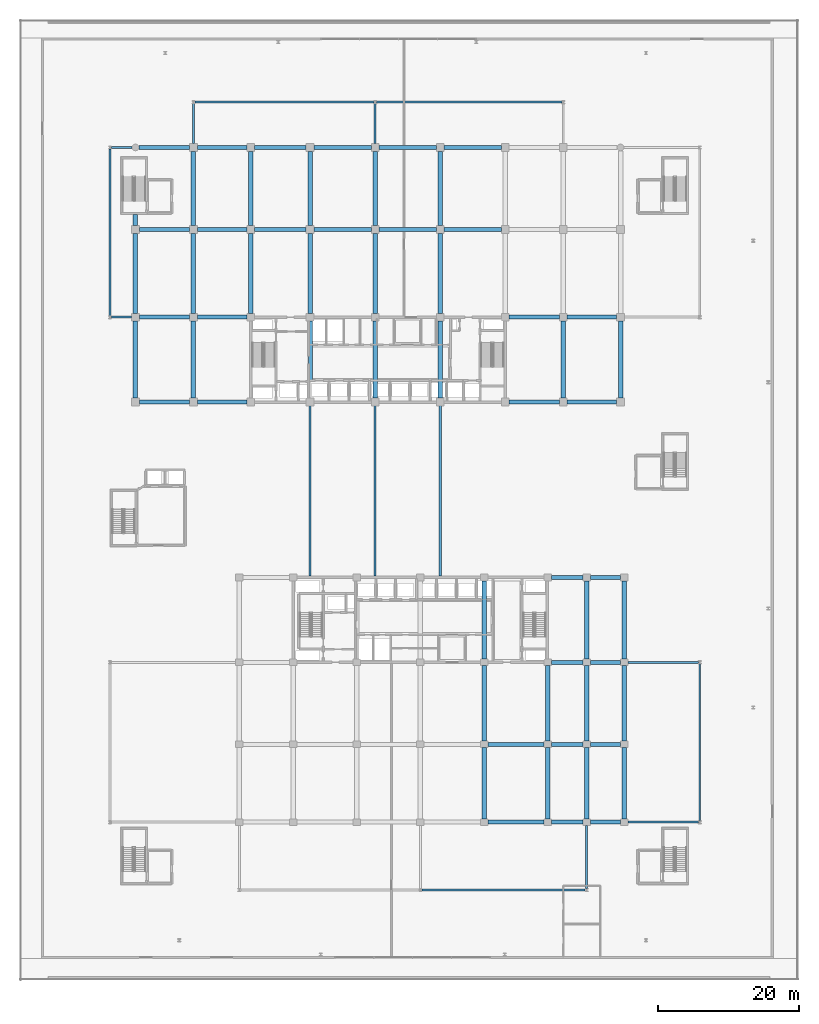
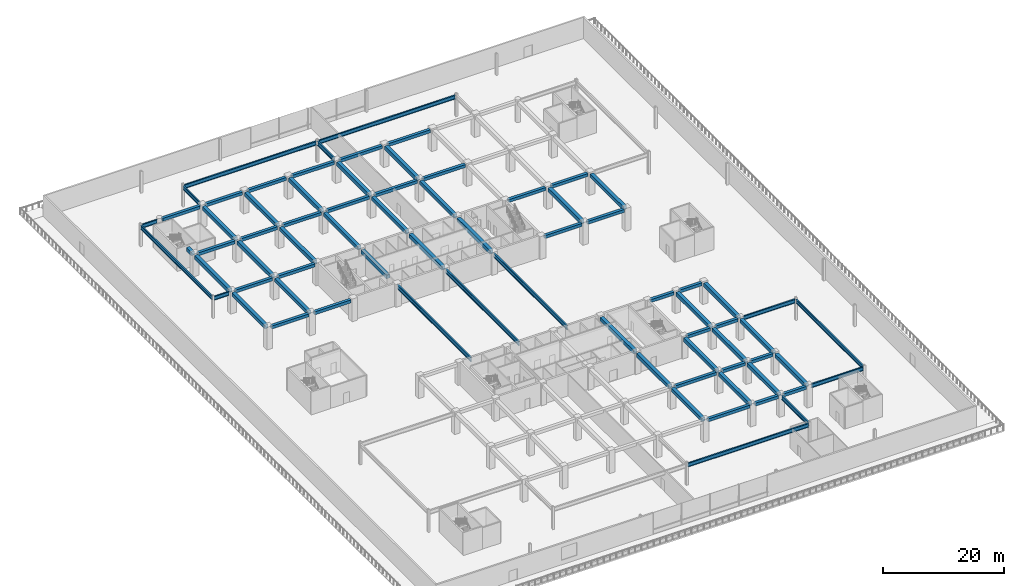
# One storey, part 13 of 45: 75 beams.
"""IFC4 building model written with IfcOpenShell, lengths in metres."""

from ifc_helpers import new_model, si_unit, direction, frame, origin, origin_2d, place, context, subcontext, project, spatial, rectangle, i_section, extrude, material, material_profile, profile_set, type_object, element, save


model = new_model("IFC4")

# Units and contexts
model_context = context("Model", 3, precision=1e-05, world=origin(), true_north=direction((0.0, 1.0)))
body_context = subcontext(model_context, "Body", "Model", "MODEL_VIEW")
ifc_project = project(units=[si_unit("LENGTHUNIT", "METRE"), si_unit("AREAUNIT", "SQUARE_METRE"), si_unit("VOLUMEUNIT", "CUBIC_METRE"), si_unit("PLANEANGLEUNIT", "RADIAN"), si_unit("MASSUNIT", "GRAM", prefix="KILO")], contexts=[model_context])

# Site, building, storey
site_placement = place(None, origin())
site = spatial("IfcSite", under=ifc_project, at=site_placement, CompositionType="ELEMENT")
building_placement = place(site_placement, origin())
building = spatial("IfcBuilding", under=site, at=building_placement, Name="Korimba Cascade Residences", CompositionType="ELEMENT")
storey_placement = place(building_placement, frame((0.0, 0.0, 5.39990234375)))
storey = spatial("IfcBuildingStorey", under=building, at=storey_placement, Name="L01", CompositionType="ELEMENT", Elevation=5.39990234375)

# Beams
ifc_material_1 = material(Name="Concrete C50/60", Category="concrete")
ifc_material_profile_1 = material_profile(ifc_material_1, rectangle(XDim=0.550048828125, YDim=0.60009765625, at=origin_2d()), Name="Concrete C50/60")
ifc_profile_set_1 = profile_set([ifc_material_profile_1], Name="Concrete C50/60")
beam_type_1 = type_object("IfcBeamType", Name="BM-RC-B600", PredefinedType="BEAM", material=ifc_profile_set_1)
beam_1_placement = place(storey_placement, frame((60.35009765625, 55.199951171875, 4.0), z_axis=(1.0, 0.0, 0.0), x_axis=(0.0, 1.0, 0.0)))
element("IfcBeam", 1, at=beam_1_placement, inside=storey, type_object=beam_type_1, Name="L01 T1 E-W Girder Y1 Bay 1", PredefinedType="BEAM", context=body_context, shape_type="SweptSolid", body=[
    extrude(rectangle(XDim=0.550048828125, YDim=0.60009765625, at=origin_2d()), origin(), (0.0, 0.0, 1.0), 7.099853515625),
])
beam_2_placement = place(storey_placement, frame((68.550048828125, 55.199951171875, 4.0), z_axis=(1.0, 0.0, 0.0), x_axis=(0.0, 1.0, 0.0)))
element("IfcBeam", 2, at=beam_2_placement, inside=storey, type_object=beam_type_1, Name="L01 T1 E-W Girder Y1 Bay 2", PredefinedType="BEAM", context=body_context, shape_type="SweptSolid", body=[
    extrude(rectangle(XDim=0.550048828125, YDim=0.60009765625, at=origin_2d()), origin(), (0.0, 0.0, 1.0), 7.0),
])
beam_3_placement = place(storey_placement, frame((112.64990234375, 55.199951171875, 4.0), z_axis=(1.0, 0.0, 0.0), x_axis=(0.0, 1.0, 0.0)))
element("IfcBeam", 3, at=beam_3_placement, inside=storey, type_object=beam_type_1, Name="L01 T1 E-W Girder Y1 Bay 7", PredefinedType="BEAM", context=body_context, shape_type="SweptSolid", body=[
    extrude(rectangle(XDim=0.550048828125, YDim=0.60009765625, at=origin_2d()), origin(), (0.0, 0.0, 1.0), 7.10009765625),
])
beam_4_placement = place(storey_placement, frame((120.85009765625, 55.199951171875, 4.0), z_axis=(1.0, 0.0, 0.0), x_axis=(0.0, 1.0, 0.0)))
element("IfcBeam", 4, at=beam_4_placement, inside=storey, type_object=beam_type_1, Name="L01 T1 E-W Girder Y1 Bay 8", PredefinedType="BEAM", context=body_context, shape_type="SweptSolid", body=[
    extrude(rectangle(XDim=0.550048828125, YDim=0.60009765625, at=origin_2d()), origin(), (0.0, 0.0, 1.0), 7.0),
])
beam_5_placement = place(storey_placement, frame((60.35009765625, 67.199951171875, 4.0), z_axis=(1.0, 0.0, 0.0), x_axis=(0.0, 1.0, 0.0)))
element("IfcBeam", 5, at=beam_5_placement, inside=storey, type_object=beam_type_1, Name="L01 T1 E-W Girder Y2 Bay 1", PredefinedType="BEAM", context=body_context, shape_type="SweptSolid", body=[
    extrude(rectangle(XDim=0.550048828125, YDim=0.60009765625, at=origin_2d()), origin(), (0.0, 0.0, 1.0), 7.099853515625),
])
beam_6_placement = place(storey_placement, frame((68.550048828125, 67.199951171875, 4.0), z_axis=(1.0, 0.0, 0.0), x_axis=(0.0, 1.0, 0.0)))
element("IfcBeam", 6, at=beam_6_placement, inside=storey, type_object=beam_type_1, Name="L01 T1 E-W Girder Y2 Bay 2", PredefinedType="BEAM", context=body_context, shape_type="SweptSolid", body=[
    extrude(rectangle(XDim=0.550048828125, YDim=0.60009765625, at=origin_2d()), origin(), (0.0, 0.0, 1.0), 7.0),
])
beam_7_placement = place(storey_placement, frame((112.64990234375, 67.199951171875, 4.0), z_axis=(1.0, 0.0, 0.0), x_axis=(0.0, 1.0, 0.0)))
element("IfcBeam", 7, at=beam_7_placement, inside=storey, type_object=beam_type_1, Name="L01 T1 E-W Girder Y2 Bay 7", PredefinedType="BEAM", context=body_context, shape_type="SweptSolid", body=[
    extrude(rectangle(XDim=0.550048828125, YDim=0.60009765625, at=origin_2d()), origin(), (0.0, 0.0, 1.0), 7.10009765625),
])
beam_8_placement = place(storey_placement, frame((120.85009765625, 67.199951171875, 4.0), z_axis=(1.0, 0.0, 0.0), x_axis=(0.0, 1.0, 0.0)))
element("IfcBeam", 8, at=beam_8_placement, inside=storey, type_object=beam_type_1, Name="L01 T1 E-W Girder Y2 Bay 8", PredefinedType="BEAM", context=body_context, shape_type="SweptSolid", body=[
    extrude(rectangle(XDim=0.550048828125, YDim=0.60009765625, at=origin_2d()), origin(), (0.0, 0.0, 1.0), 7.0),
])
beam_9_placement = place(storey_placement, frame((60.35009765625, 79.60009765625, 4.0), z_axis=(1.0, 0.0, 0.0), x_axis=(0.0, 1.0, 0.0)))
element("IfcBeam", 9, at=beam_9_placement, inside=storey, type_object=beam_type_1, Name="L01 T1 E-W Girder Y3 Bay 1", PredefinedType="BEAM", context=body_context, shape_type="SweptSolid", body=[
    extrude(rectangle(XDim=0.550048828125, YDim=0.60009765625, at=origin_2d()), origin(), (0.0, 0.0, 1.0), 7.099853515625),
])
beam_10_placement = place(storey_placement, frame((68.550048828125, 79.60009765625, 4.0), z_axis=(1.0, 0.0, 0.0), x_axis=(0.0, 1.0, 0.0)))
element("IfcBeam", 10, at=beam_10_placement, inside=storey, type_object=beam_type_1, Name="L01 T1 E-W Girder Y3 Bay 2", PredefinedType="BEAM", context=body_context, shape_type="SweptSolid", body=[
    extrude(rectangle(XDim=0.550048828125, YDim=0.60009765625, at=origin_2d()), origin(), (0.0, 0.0, 1.0), 7.0),
])
beam_11_placement = place(storey_placement, frame((76.64990234375, 79.60009765625, 4.0), z_axis=(1.0, 0.0, 0.0), x_axis=(0.0, 1.0, 0.0)))
element("IfcBeam", 11, at=beam_11_placement, inside=storey, type_object=beam_type_1, Name="L01 T1 E-W Girder Y3 Bay 3", PredefinedType="BEAM", context=body_context, shape_type="SweptSolid", body=[
    extrude(rectangle(XDim=0.550048828125, YDim=0.60009765625, at=origin_2d()), origin(), (0.0, 0.0, 1.0), 7.300048828125),
])
beam_12_placement = place(storey_placement, frame((85.050048828125, 79.60009765625, 4.0), z_axis=(1.0, 0.0, 0.0), x_axis=(0.0, 1.0, 0.0)))
element("IfcBeam", 12, at=beam_12_placement, inside=storey, type_object=beam_type_1, Name="L01 T1 E-W Girder Y3 Bay 4", PredefinedType="BEAM", context=body_context, shape_type="SweptSolid", body=[
    extrude(rectangle(XDim=0.550048828125, YDim=0.60009765625, at=origin_2d()), origin(), (0.0, 0.0, 1.0), 8.099853515625),
])
for number, where, z_axis, x_axis, name in (
    (13, (94.25, 79.60009765625, 4.0), (1.0, 0.0, 0.0), (0.0, 1.0, 0.0), "L01 T1 E-W Girder Y3 Bay 5"),
    (14, (103.449951171875, 79.60009765625, 4.0), (1.0, 0.0, 0.0), (0.0, 1.0, 0.0), "L01 T1 E-W Girder Y3 Bay 6"),
):
    element("IfcBeam", number, at=place(storey_placement, frame(where, z_axis=z_axis, x_axis=x_axis)), inside=storey, type_object=beam_type_1, Name=name, PredefinedType="BEAM", context=body_context, shape_type="SweptSolid", body=[
        extrude(rectangle(XDim=0.550048828125, YDim=0.60009765625, at=origin_2d()), origin(), (0.0, 0.0, 1.0), 8.10009765625),
    ])
beam_13_placement = place(storey_placement, frame((60.27490234375, 91.199951171875, 4.0), z_axis=(1.0, 0.0, 0.0), x_axis=(0.0, 1.0, 0.0)))
element("IfcBeam", 15, at=beam_13_placement, inside=storey, type_object=beam_type_1, Name="L01 T1 E-W Girder Y4 Bay 1", PredefinedType="BEAM", context=body_context, shape_type="SweptSolid", body=[
    extrude(rectangle(XDim=0.550048828125, YDim=0.60009765625, at=origin_2d()), origin(), (0.0, 0.0, 1.0), 7.175048828125),
])
beam_14_placement = place(storey_placement, frame((68.550048828125, 91.199951171875, 4.0), z_axis=(1.0, 0.0, 0.0), x_axis=(0.0, 1.0, 0.0)))
element("IfcBeam", 16, at=beam_14_placement, inside=storey, type_object=beam_type_1, Name="L01 T1 E-W Girder Y4 Bay 2", PredefinedType="BEAM", context=body_context, shape_type="SweptSolid", body=[
    extrude(rectangle(XDim=0.550048828125, YDim=0.60009765625, at=origin_2d()), origin(), (0.0, 0.0, 1.0), 7.0),
])
beam_15_placement = place(storey_placement, frame((76.64990234375, 91.199951171875, 4.0), z_axis=(1.0, 0.0, 0.0), x_axis=(0.0, 1.0, 0.0)))
element("IfcBeam", 17, at=beam_15_placement, inside=storey, type_object=beam_type_1, Name="L01 T1 E-W Girder Y4 Bay 3", PredefinedType="BEAM", context=body_context, shape_type="SweptSolid", body=[
    extrude(rectangle(XDim=0.550048828125, YDim=0.60009765625, at=origin_2d()), origin(), (0.0, 0.0, 1.0), 7.300048828125),
])
beam_16_placement = place(storey_placement, frame((85.050048828125, 91.199951171875, 4.0), z_axis=(1.0, 0.0, 0.0), x_axis=(0.0, 1.0, 0.0)))
element("IfcBeam", 18, at=beam_16_placement, inside=storey, type_object=beam_type_1, Name="L01 T1 E-W Girder Y4 Bay 4", PredefinedType="BEAM", context=body_context, shape_type="SweptSolid", body=[
    extrude(rectangle(XDim=0.550048828125, YDim=0.60009765625, at=origin_2d()), origin(), (0.0, 0.0, 1.0), 8.099853515625),
])
for number, where, z_axis, x_axis, name in (
    (19, (94.25, 91.199951171875, 4.0), (1.0, 0.0, 0.0), (0.0, 1.0, 0.0), "L01 T1 E-W Girder Y4 Bay 5"),
    (20, (103.449951171875, 91.199951171875, 4.0), (1.0, 0.0, 0.0), (0.0, 1.0, 0.0), "L01 T1 E-W Girder Y4 Bay 6"),
):
    element("IfcBeam", number, at=place(storey_placement, frame(where, z_axis=z_axis, x_axis=x_axis)), inside=storey, type_object=beam_type_1, Name=name, PredefinedType="BEAM", context=body_context, shape_type="SweptSolid", body=[
        extrude(rectangle(XDim=0.550048828125, YDim=0.60009765625, at=origin_2d()), origin(), (0.0, 0.0, 1.0), 8.10009765625),
    ])
beam_17_placement = place(storey_placement, frame((109.625, -4.199951171875, 4.0), z_axis=(1.0, 0.0, 0.0), x_axis=(0.0, 1.0, 0.0)))
element("IfcBeam", 21, at=beam_17_placement, inside=storey, type_object=beam_type_1, Name="L01 T2 E-W Girder Y1 Bay 5", PredefinedType="BEAM", context=body_context, shape_type="SweptSolid", body=[
    extrude(rectangle(XDim=0.550048828125, YDim=0.60009765625, at=origin_2d()), origin(), (0.0, 0.0, 1.0), 7.949951171875),
])
beam_18_placement = place(storey_placement, frame((118.625, -4.199951171875, 4.0), z_axis=(1.0, 0.0, 0.0), x_axis=(0.0, 1.0, 0.0)))
element("IfcBeam", 22, at=beam_18_placement, inside=storey, type_object=beam_type_1, Name="L01 T2 E-W Girder Y1 Bay 6", PredefinedType="BEAM", context=body_context, shape_type="SweptSolid", body=[
    extrude(rectangle(XDim=0.550048828125, YDim=0.60009765625, at=origin_2d()), origin(), (0.0, 0.0, 1.0), 4.449951171875),
])
beam_19_placement = place(storey_placement, frame((124.125, -4.199951171875, 4.0), z_axis=(1.0, 0.0, 0.0), x_axis=(0.0, 1.0, 0.0)))
element("IfcBeam", 23, at=beam_19_placement, inside=storey, type_object=beam_type_1, Name="L01 T2 E-W Girder Y1 Bay 7", PredefinedType="BEAM", context=body_context, shape_type="SweptSolid", body=[
    extrude(rectangle(XDim=0.550048828125, YDim=0.60009765625, at=origin_2d()), origin(), (0.0, 0.0, 1.0), 4.25),
])
beam_20_placement = place(storey_placement, frame((109.625, 6.800048828125, 4.0), z_axis=(1.0, 0.0, 0.0), x_axis=(0.0, 1.0, 0.0)))
element("IfcBeam", 24, at=beam_20_placement, inside=storey, type_object=beam_type_1, Name="L01 T2 E-W Girder Y2 Bay 5", PredefinedType="BEAM", context=body_context, shape_type="SweptSolid", body=[
    extrude(rectangle(XDim=0.550048828125, YDim=0.60009765625, at=origin_2d()), origin(), (0.0, 0.0, 1.0), 7.949951171875),
])
beam_21_placement = place(storey_placement, frame((118.625, 6.800048828125, 4.0), z_axis=(1.0, 0.0, 0.0), x_axis=(0.0, 1.0, 0.0)))
element("IfcBeam", 25, at=beam_21_placement, inside=storey, type_object=beam_type_1, Name="L01 T2 E-W Girder Y2 Bay 6", PredefinedType="BEAM", context=body_context, shape_type="SweptSolid", body=[
    extrude(rectangle(XDim=0.550048828125, YDim=0.60009765625, at=origin_2d()), origin(), (0.0, 0.0, 1.0), 4.449951171875),
])
beam_22_placement = place(storey_placement, frame((124.125, 6.800048828125, 4.0), z_axis=(1.0, 0.0, 0.0), x_axis=(0.0, 1.0, 0.0)))
element("IfcBeam", 26, at=beam_22_placement, inside=storey, type_object=beam_type_1, Name="L01 T2 E-W Girder Y2 Bay 7", PredefinedType="BEAM", context=body_context, shape_type="SweptSolid", body=[
    extrude(rectangle(XDim=0.550048828125, YDim=0.60009765625, at=origin_2d()), origin(), (0.0, 0.0, 1.0), 4.25),
])
beam_23_placement = place(storey_placement, frame((118.625, 18.39990234375, 4.0), z_axis=(1.0, 0.0, 0.0), x_axis=(0.0, 1.0, 0.0)))
element("IfcBeam", 27, at=beam_23_placement, inside=storey, type_object=beam_type_1, Name="L01 T2 E-W Girder Y3 Bay 6", PredefinedType="BEAM", context=body_context, shape_type="SweptSolid", body=[
    extrude(rectangle(XDim=0.550048828125, YDim=0.60009765625, at=origin_2d()), origin(), (0.0, 0.0, 1.0), 4.449951171875),
])
beam_24_placement = place(storey_placement, frame((124.125, 18.39990234375, 4.0), z_axis=(1.0, 0.0, 0.0), x_axis=(0.0, 1.0, 0.0)))
element("IfcBeam", 28, at=beam_24_placement, inside=storey, type_object=beam_type_1, Name="L01 T2 E-W Girder Y3 Bay 7", PredefinedType="BEAM", context=body_context, shape_type="SweptSolid", body=[
    extrude(rectangle(XDim=0.550048828125, YDim=0.60009765625, at=origin_2d()), origin(), (0.0, 0.0, 1.0), 4.25),
])
beam_25_placement = place(storey_placement, frame((118.625, 30.39990234375, 4.0), z_axis=(1.0, 0.0, 0.0), x_axis=(0.0, 1.0, 0.0)))
element("IfcBeam", 29, at=beam_25_placement, inside=storey, type_object=beam_type_1, Name="L01 T2 E-W Girder Y4 Bay 6", PredefinedType="BEAM", context=body_context, shape_type="SweptSolid", body=[
    extrude(rectangle(XDim=0.550048828125, YDim=0.60009765625, at=origin_2d()), origin(), (0.0, 0.0, 1.0), 4.449951171875),
])
beam_26_placement = place(storey_placement, frame((124.125, 30.39990234375, 4.0), z_axis=(1.0, 0.0, 0.0), x_axis=(0.0, 1.0, 0.0)))
element("IfcBeam", 30, at=beam_26_placement, inside=storey, type_object=beam_type_1, Name="L01 T2 E-W Girder Y4 Bay 7", PredefinedType="BEAM", context=body_context, shape_type="SweptSolid", body=[
    extrude(rectangle(XDim=0.550048828125, YDim=0.60009765625, at=origin_2d()), origin(), (0.0, 0.0, 1.0), 4.25),
])
ifc_material_profile_2 = material_profile(ifc_material_1, rectangle(XDim=0.64990234375, YDim=0.75, at=origin_2d()), Name="Concrete C50/60")
ifc_profile_set_2 = profile_set([ifc_material_profile_2], Name="Concrete C50/60")
beam_type_2 = type_object("IfcBeamType", Name="BM-RC-G750", PredefinedType="BEAM", material=ifc_profile_set_2)
beam_27_placement = place(storey_placement, frame((59.800048828125, 55.75, 3.925048828125), z_axis=(0.0, 1.0, 0.0), x_axis=(-1.0, 0.0, 0.0)))
element("IfcBeam", 31, at=beam_27_placement, inside=storey, type_object=beam_type_2, Name="L01 T1 N-S Girder X1 Seg 1", PredefinedType="BEAM", context=body_context, shape_type="SweptSolid", body=[
    extrude(rectangle(XDim=0.64990234375, YDim=0.75, at=origin_2d()), origin(), (0.0, 0.0, 1.0), 10.89990234375),
])
beam_28_placement = place(storey_placement, frame((59.800048828125, 67.75, 3.925048828125), z_axis=(0.0, 1.0, 0.0), x_axis=(-1.0, 0.0, 0.0)))
element("IfcBeam", 32, at=beam_28_placement, inside=storey, type_object=beam_type_2, Name="L01 T1 N-S Girder X1 Seg 2", PredefinedType="BEAM", context=body_context, shape_type="SweptSolid", body=[
    extrude(rectangle(XDim=0.64990234375, YDim=0.75, at=origin_2d()), origin(), (0.0, 0.0, 1.0), 11.300048828125),
])
beam_29_placement = place(storey_placement, frame((59.800048828125, 80.14990234375, 3.925048828125), z_axis=(0.0, 1.0, 0.0), x_axis=(-1.0, 0.0, 0.0)))
element("IfcBeam", 33, at=beam_29_placement, inside=storey, type_object=beam_type_2, Name="L01 T1 N-S Girder X1 Seg 3", PredefinedType="BEAM", context=body_context, shape_type="SweptSolid", body=[
    extrude(rectangle(XDim=0.64990234375, YDim=0.75, at=origin_2d()), origin(), (0.0, 0.0, 1.0), 1.550048828125),
])
beam_30_placement = place(storey_placement, frame((68.0, 55.75, 3.925048828125), z_axis=(0.0, 1.0, 0.0), x_axis=(-1.0, 0.0, 0.0)))
element("IfcBeam", 34, at=beam_30_placement, inside=storey, type_object=beam_type_2, Name="L01 T1 N-S Girder X2 Seg 1", PredefinedType="BEAM", context=body_context, shape_type="SweptSolid", body=[
    extrude(rectangle(XDim=0.64990234375, YDim=0.75, at=origin_2d()), origin(), (0.0, 0.0, 1.0), 10.89990234375),
])
beam_31_placement = place(storey_placement, frame((68.0, 67.75, 3.925048828125), z_axis=(0.0, 1.0, 0.0), x_axis=(-1.0, 0.0, 0.0)))
element("IfcBeam", 35, at=beam_31_placement, inside=storey, type_object=beam_type_2, Name="L01 T1 N-S Girder X2 Seg 2", PredefinedType="BEAM", context=body_context, shape_type="SweptSolid", body=[
    extrude(rectangle(XDim=0.64990234375, YDim=0.75, at=origin_2d()), origin(), (0.0, 0.0, 1.0), 11.300048828125),
])
beam_32_placement = place(storey_placement, frame((68.0, 80.14990234375, 3.925048828125), z_axis=(0.0, 1.0, 0.0), x_axis=(-1.0, 0.0, 0.0)))
element("IfcBeam", 36, at=beam_32_placement, inside=storey, type_object=beam_type_2, Name="L01 T1 N-S Girder X2 Seg 3", PredefinedType="BEAM", context=body_context, shape_type="SweptSolid", body=[
    extrude(rectangle(XDim=0.64990234375, YDim=0.75, at=origin_2d()), origin(), (0.0, 0.0, 1.0), 10.5),
])
beam_33_placement = place(storey_placement, frame((76.10009765625, 67.75, 3.925048828125), z_axis=(0.0, 1.0, 0.0), x_axis=(-1.0, 0.0, 0.0)))
element("IfcBeam", 37, at=beam_33_placement, inside=storey, type_object=beam_type_2, Name="L01 T1 N-S Girder X3 Seg 2", PredefinedType="BEAM", context=body_context, shape_type="SweptSolid", body=[
    extrude(rectangle(XDim=0.64990234375, YDim=0.75, at=origin_2d()), origin(), (0.0, 0.0, 1.0), 11.300048828125),
])
beam_34_placement = place(storey_placement, frame((76.10009765625, 80.14990234375, 3.925048828125), z_axis=(0.0, 1.0, 0.0), x_axis=(-1.0, 0.0, 0.0)))
element("IfcBeam", 38, at=beam_34_placement, inside=storey, type_object=beam_type_2, Name="L01 T1 N-S Girder X3 Seg 3", PredefinedType="BEAM", context=body_context, shape_type="SweptSolid", body=[
    extrude(rectangle(XDim=0.64990234375, YDim=0.75, at=origin_2d()), origin(), (0.0, 0.0, 1.0), 10.5),
])
beam_35_placement = place(storey_placement, frame((84.5, 58.159912109375, 3.925048828125), z_axis=(0.0, 1.0, 0.0), x_axis=(-1.0, 0.0, 0.0)))
element("IfcBeam", 39, at=beam_35_placement, inside=storey, type_object=beam_type_2, Name="L01 T1 N-S Girder X4 Seg 1", PredefinedType="BEAM", context=body_context, shape_type="SweptSolid", body=[
    extrude(rectangle(XDim=0.64990234375, YDim=0.75, at=origin_2d()), origin(), (0.0, 0.0, 1.0), 8.489990234375),
])
beam_36_placement = place(storey_placement, frame((84.5, 67.75, 3.925048828125), z_axis=(0.0, 1.0, 0.0), x_axis=(-1.0, 0.0, 0.0)))
element("IfcBeam", 40, at=beam_36_placement, inside=storey, type_object=beam_type_2, Name="L01 T1 N-S Girder X4 Seg 2", PredefinedType="BEAM", context=body_context, shape_type="SweptSolid", body=[
    extrude(rectangle(XDim=0.64990234375, YDim=0.75, at=origin_2d()), origin(), (0.0, 0.0, 1.0), 11.300048828125),
])
beam_37_placement = place(storey_placement, frame((84.5, 80.14990234375, 3.925048828125), z_axis=(0.0, 1.0, 0.0), x_axis=(-1.0, 0.0, 0.0)))
element("IfcBeam", 41, at=beam_37_placement, inside=storey, type_object=beam_type_2, Name="L01 T1 N-S Girder X4 Seg 3", PredefinedType="BEAM", context=body_context, shape_type="SweptSolid", body=[
    extrude(rectangle(XDim=0.64990234375, YDim=0.75, at=origin_2d()), origin(), (0.0, 0.0, 1.0), 10.5),
])
beam_38_placement = place(storey_placement, frame((93.699951171875, 55.75, 3.925048828125), z_axis=(0.0, 1.0, 0.0), x_axis=(-1.0, 0.0, 0.0)))
element("IfcBeam", 42, at=beam_38_placement, inside=storey, type_object=beam_type_2, Name="L01 T1 N-S Girder X5 Seg 1", PredefinedType="BEAM", context=body_context, shape_type="SweptSolid", body=[
    extrude(rectangle(XDim=0.64990234375, YDim=0.75, at=origin_2d()), origin(), (0.0, 0.0, 1.0), 10.89990234375),
])
beam_39_placement = place(storey_placement, frame((93.699951171875, 67.75, 3.925048828125), z_axis=(0.0, 1.0, 0.0), x_axis=(-1.0, 0.0, 0.0)))
element("IfcBeam", 43, at=beam_39_placement, inside=storey, type_object=beam_type_2, Name="L01 T1 N-S Girder X5 Seg 2", PredefinedType="BEAM", context=body_context, shape_type="SweptSolid", body=[
    extrude(rectangle(XDim=0.64990234375, YDim=0.75, at=origin_2d()), origin(), (0.0, 0.0, 1.0), 11.300048828125),
])
beam_40_placement = place(storey_placement, frame((93.699951171875, 80.14990234375, 3.925048828125), z_axis=(0.0, 1.0, 0.0), x_axis=(-1.0, 0.0, 0.0)))
element("IfcBeam", 44, at=beam_40_placement, inside=storey, type_object=beam_type_2, Name="L01 T1 N-S Girder X5 Seg 3", PredefinedType="BEAM", context=body_context, shape_type="SweptSolid", body=[
    extrude(rectangle(XDim=0.64990234375, YDim=0.75, at=origin_2d()), origin(), (0.0, 0.0, 1.0), 10.5),
])
beam_41_placement = place(storey_placement, frame((102.89990234375, 55.75, 3.925048828125), z_axis=(0.0, 1.0, 0.0), x_axis=(-1.0, 0.0, 0.0)))
element("IfcBeam", 45, at=beam_41_placement, inside=storey, type_object=beam_type_2, Name="L01 T1 N-S Girder X6 Seg 1", PredefinedType="BEAM", context=body_context, shape_type="SweptSolid", body=[
    extrude(rectangle(XDim=0.64990234375, YDim=0.75, at=origin_2d()), origin(), (0.0, 0.0, 1.0), 10.89990234375),
])
beam_42_placement = place(storey_placement, frame((102.89990234375, 67.75, 3.925048828125), z_axis=(0.0, 1.0, 0.0), x_axis=(-1.0, 0.0, 0.0)))
element("IfcBeam", 46, at=beam_42_placement, inside=storey, type_object=beam_type_2, Name="L01 T1 N-S Girder X6 Seg 2", PredefinedType="BEAM", context=body_context, shape_type="SweptSolid", body=[
    extrude(rectangle(XDim=0.64990234375, YDim=0.75, at=origin_2d()), origin(), (0.0, 0.0, 1.0), 11.300048828125),
])
beam_43_placement = place(storey_placement, frame((102.89990234375, 80.14990234375, 3.925048828125), z_axis=(0.0, 1.0, 0.0), x_axis=(-1.0, 0.0, 0.0)))
element("IfcBeam", 47, at=beam_43_placement, inside=storey, type_object=beam_type_2, Name="L01 T1 N-S Girder X6 Seg 3", PredefinedType="BEAM", context=body_context, shape_type="SweptSolid", body=[
    extrude(rectangle(XDim=0.64990234375, YDim=0.75, at=origin_2d()), origin(), (0.0, 0.0, 1.0), 10.5),
])
for number, where, z_axis, x_axis, name in (
    (48, (120.300048828125, 55.75, 3.925048828125), (0.0, 1.0, 0.0), (-1.0, 0.0, 0.0), "L01 T1 N-S Girder X8 Seg 1"),
    (49, (128.39990234375, 55.75, 3.925048828125), (0.0, 1.0, 0.0), (-1.0, 0.0, 0.0), "L01 T1 N-S Girder X9 Seg 1"),
):
    element("IfcBeam", number, at=place(storey_placement, frame(where, z_axis=z_axis, x_axis=x_axis)), inside=storey, type_object=beam_type_2, Name=name, PredefinedType="BEAM", context=body_context, shape_type="SweptSolid", body=[
        extrude(rectangle(XDim=0.64990234375, YDim=0.75, at=origin_2d()), origin(), (0.0, 0.0, 1.0), 10.89990234375),
    ])
beam_44_placement = place(storey_placement, frame((109.10009765625, -3.72509765625, 3.925048828125), z_axis=(0.0, 1.0, 0.0), x_axis=(-1.0, 0.0, 0.0)))
element("IfcBeam", 50, at=beam_44_placement, inside=storey, type_object=beam_type_2, Name="L01 T2 N-S Girder X5 Seg 1", PredefinedType="BEAM", context=body_context, shape_type="SweptSolid", body=[
    extrude(rectangle(XDim=0.64990234375, YDim=0.75, at=origin_2d()), origin(), (0.0, 0.0, 1.0), 10.050048828125),
])
beam_45_placement = place(storey_placement, frame((109.10009765625, 7.27490234375, 3.925048828125), z_axis=(0.0, 1.0, 0.0), x_axis=(-1.0, 0.0, 0.0)))
element("IfcBeam", 51, at=beam_45_placement, inside=storey, type_object=beam_type_2, Name="L01 T2 N-S Girder X5 Seg 2", PredefinedType="BEAM", context=body_context, shape_type="SweptSolid", body=[
    extrude(rectangle(XDim=0.64990234375, YDim=0.75, at=origin_2d()), origin(), (0.0, 0.0, 1.0), 10.650146484375),
])
beam_46_placement = place(storey_placement, frame((109.10009765625, 18.875, 3.925048828125), z_axis=(0.0, 1.0, 0.0), x_axis=(-1.0, 0.0, 0.0)))
element("IfcBeam", 52, at=beam_46_placement, inside=storey, type_object=beam_type_2, Name="L01 T2 N-S Girder X5 Seg 3", PredefinedType="BEAM", context=body_context, shape_type="SweptSolid", body=[
    extrude(rectangle(XDim=0.64990234375, YDim=0.75, at=origin_2d()), origin(), (0.0, 0.0, 1.0), 11.050048828125),
])
beam_47_placement = place(storey_placement, frame((118.10009765625, -3.72509765625, 3.925048828125), z_axis=(0.0, 1.0, 0.0), x_axis=(-1.0, 0.0, 0.0)))
element("IfcBeam", 53, at=beam_47_placement, inside=storey, type_object=beam_type_2, Name="L01 T2 N-S Girder X6 Seg 1", PredefinedType="BEAM", context=body_context, shape_type="SweptSolid", body=[
    extrude(rectangle(XDim=0.64990234375, YDim=0.75, at=origin_2d()), origin(), (0.0, 0.0, 1.0), 10.050048828125),
])
beam_48_placement = place(storey_placement, frame((118.10009765625, 7.27490234375, 3.925048828125), z_axis=(0.0, 1.0, 0.0), x_axis=(-1.0, 0.0, 0.0)))
element("IfcBeam", 54, at=beam_48_placement, inside=storey, type_object=beam_type_2, Name="L01 T2 N-S Girder X6 Seg 2", PredefinedType="BEAM", context=body_context, shape_type="SweptSolid", body=[
    extrude(rectangle(XDim=0.64990234375, YDim=0.75, at=origin_2d()), origin(), (0.0, 0.0, 1.0), 10.650146484375),
])
beam_49_placement = place(storey_placement, frame((123.60009765625, -3.72509765625, 3.925048828125), z_axis=(0.0, 1.0, 0.0), x_axis=(-1.0, 0.0, 0.0)))
element("IfcBeam", 55, at=beam_49_placement, inside=storey, type_object=beam_type_2, Name="L01 T2 N-S Girder X7 Seg 1", PredefinedType="BEAM", context=body_context, shape_type="SweptSolid", body=[
    extrude(rectangle(XDim=0.64990234375, YDim=0.75, at=origin_2d()), origin(), (0.0, 0.0, 1.0), 10.050048828125),
])
beam_50_placement = place(storey_placement, frame((123.60009765625, 7.27490234375, 3.925048828125), z_axis=(0.0, 1.0, 0.0), x_axis=(-1.0, 0.0, 0.0)))
element("IfcBeam", 56, at=beam_50_placement, inside=storey, type_object=beam_type_2, Name="L01 T2 N-S Girder X7 Seg 2", PredefinedType="BEAM", context=body_context, shape_type="SweptSolid", body=[
    extrude(rectangle(XDim=0.64990234375, YDim=0.75, at=origin_2d()), origin(), (0.0, 0.0, 1.0), 10.650146484375),
])
beam_51_placement = place(storey_placement, frame((123.60009765625, 18.875, 3.925048828125), z_axis=(0.0, 1.0, 0.0), x_axis=(-1.0, 0.0, 0.0)))
element("IfcBeam", 57, at=beam_51_placement, inside=storey, type_object=beam_type_2, Name="L01 T2 N-S Girder X7 Seg 3", PredefinedType="BEAM", context=body_context, shape_type="SweptSolid", body=[
    extrude(rectangle(XDim=0.64990234375, YDim=0.75, at=origin_2d()), origin(), (0.0, 0.0, 1.0), 11.050048828125),
])
beam_52_placement = place(storey_placement, frame((128.89990234375, -3.72509765625, 3.925048828125), z_axis=(0.0, 1.0, 0.0), x_axis=(-1.0, 0.0, 0.0)))
element("IfcBeam", 58, at=beam_52_placement, inside=storey, type_object=beam_type_2, Name="L01 T2 N-S Girder X8 Seg 1", PredefinedType="BEAM", context=body_context, shape_type="SweptSolid", body=[
    extrude(rectangle(XDim=0.64990234375, YDim=0.75, at=origin_2d()), origin(), (0.0, 0.0, 1.0), 10.050048828125),
])
beam_53_placement = place(storey_placement, frame((128.89990234375, 7.27490234375, 3.925048828125), z_axis=(0.0, 1.0, 0.0), x_axis=(-1.0, 0.0, 0.0)))
element("IfcBeam", 59, at=beam_53_placement, inside=storey, type_object=beam_type_2, Name="L01 T2 N-S Girder X8 Seg 2", PredefinedType="BEAM", context=body_context, shape_type="SweptSolid", body=[
    extrude(rectangle(XDim=0.64990234375, YDim=0.75, at=origin_2d()), origin(), (0.0, 0.0, 1.0), 10.650146484375),
])
beam_54_placement = place(storey_placement, frame((128.89990234375, 18.875, 3.925048828125), z_axis=(0.0, 1.0, 0.0), x_axis=(-1.0, 0.0, 0.0)))
element("IfcBeam", 60, at=beam_54_placement, inside=storey, type_object=beam_type_2, Name="L01 T2 N-S Girder X8 Seg 3", PredefinedType="BEAM", context=body_context, shape_type="SweptSolid", body=[
    extrude(rectangle(XDim=0.64990234375, YDim=0.75, at=origin_2d()), origin(), (0.0, 0.0, 1.0), 11.050048828125),
])
ifc_material_2 = material(Name="Steel S355", Category="steel")
ifc_material_profile_3 = material_profile(ifc_material_2, i_section(OverallWidth=0.26806640625, OverallDepth=0.769775390625, WebThickness=0.015625, FlangeThickness=0.025390625, FilletRadius=0.0166015625, at=origin_2d()), Name="Steel S355")
ifc_profile_set_3 = profile_set([ifc_material_profile_3], Name="Steel S355")
beam_type_3 = type_object("IfcBeamType", Name="BM-STL-UB762", PredefinedType="BEAM", material=ifc_profile_set_3)
beam_55_placement = place(storey_placement, frame((56.3994140625, 67.199951171875, 3.915283203125), z_axis=(1.0, 0.0, 0.0), x_axis=(0.0, 1.0, 0.0)))
element("IfcBeam", 61, at=beam_55_placement, inside=storey, type_object=beam_type_3, Name="L01 Podium Frame Girder W3", PredefinedType="BEAM", context=body_context, shape_type="SweptSolid", body=[
    extrude(i_section(OverallWidth=0.26806640625, OverallDepth=0.769775390625, WebThickness=0.015625, FlangeThickness=0.025390625, FilletRadius=0.0166015625, at=origin_2d()), origin(), (0.0, 0.0, 1.0), 2.8505859375),
])
beam_56_placement = place(storey_placement, frame((56.3994140625, 91.199951171875, 3.915283203125), z_axis=(1.0, 0.0, 0.0), x_axis=(0.0, 1.0, 0.0)))
element("IfcBeam", 62, at=beam_56_placement, inside=storey, type_object=beam_type_3, Name="L01 Podium Frame Girder W4", PredefinedType="BEAM", context=body_context, shape_type="SweptSolid", body=[
    extrude(i_section(OverallWidth=0.26806640625, OverallDepth=0.769775390625, WebThickness=0.015625, FlangeThickness=0.025390625, FilletRadius=0.0166015625, at=origin_2d()), origin(), (0.0, 0.0, 1.0), 2.925537109375),
])
beam_57_placement = place(storey_placement, frame((56.199951171875, 67.396728515625, 3.915283203125), z_axis=(0.0, 1.0, 0.0), x_axis=(-1.0, 0.0, 0.0)))
element("IfcBeam", 63, at=beam_57_placement, inside=storey, type_object=beam_type_3, Name="L01 Podium Frame Girder WS", PredefinedType="BEAM", context=body_context, shape_type="SweptSolid", body=[
    extrude(i_section(OverallWidth=0.26806640625, OverallDepth=0.769775390625, WebThickness=0.015625, FlangeThickness=0.025390625, FilletRadius=0.0166015625, at=origin_2d()), origin(), (0.0, 0.0, 1.0), 23.6064453125),
])
for number, where, z_axis, x_axis, name in (
    (64, (129.425048828125, -4.199951171875, 3.915283203125), (1.0, 0.0, 0.0), (0.0, 1.0, 0.0), "L01 Podium Frame Girder E1"),
    (65, (129.425048828125, 18.39990234375, 3.915283203125), (1.0, 0.0, 0.0), (0.0, 1.0, 0.0), "L01 Podium Frame Girder E2"),
):
    element("IfcBeam", number, at=place(storey_placement, frame(where, z_axis=z_axis, x_axis=x_axis)), inside=storey, type_object=beam_type_3, Name=name, PredefinedType="BEAM", context=body_context, shape_type="SweptSolid", body=[
        extrude(i_section(OverallWidth=0.26806640625, OverallDepth=0.769775390625, WebThickness=0.015625, FlangeThickness=0.025390625, FilletRadius=0.0166015625, at=origin_2d()), origin(), (0.0, 0.0, 1.0), 9.975341796875),
    ])
beam_58_placement = place(storey_placement, frame((139.60009765625, -4.003173828125, 3.915283203125), z_axis=(0.0, 1.0, 0.0), x_axis=(-1.0, 0.0, 0.0)))
element("IfcBeam", 66, at=beam_58_placement, inside=storey, type_object=beam_type_3, Name="L01 Podium Frame Girder EN", PredefinedType="BEAM", context=body_context, shape_type="SweptSolid", body=[
    extrude(i_section(OverallWidth=0.26806640625, OverallDepth=0.769775390625, WebThickness=0.015625, FlangeThickness=0.025390625, FilletRadius=0.0166015625, at=origin_2d()), origin(), (0.0, 0.0, 1.0), 22.206298828125),
])
beam_59_placement = place(storey_placement, frame((123.60009765625, -13.603271484375, 3.915283203125), z_axis=(0.0, 1.0, 0.0), x_axis=(-1.0, 0.0, 0.0)))
element("IfcBeam", 67, at=beam_59_placement, inside=storey, type_object=beam_type_3, Name="L01 Podium Frame Girder S3", PredefinedType="BEAM", context=body_context, shape_type="SweptSolid", body=[
    extrude(i_section(OverallWidth=0.26806640625, OverallDepth=0.769775390625, WebThickness=0.015625, FlangeThickness=0.025390625, FilletRadius=0.0166015625, at=origin_2d()), origin(), (0.0, 0.0, 1.0), 8.92822265625),
])
beam_60_placement = place(storey_placement, frame((100.299560546875, -13.800048828125, 3.915283203125), z_axis=(1.0, 0.0, 0.0), x_axis=(0.0, 1.0, 0.0)))
element("IfcBeam", 68, at=beam_60_placement, inside=storey, type_object=beam_type_3, Name="L01 Podium Frame Girder SH2", PredefinedType="BEAM", context=body_context, shape_type="SweptSolid", body=[
    extrude(i_section(OverallWidth=0.26806640625, OverallDepth=0.769775390625, WebThickness=0.015625, FlangeThickness=0.025390625, FilletRadius=0.0166015625, at=origin_2d()), origin(), (0.0, 0.0, 1.0), 23.100830078125),
])
for number, where, z_axis, x_axis, name in (
    (69, (68.0, 91.75, 3.915283203125), (0.0, 1.0, 0.0), (-1.0, 0.0, 0.0), "L01 Podium Frame Girder N1"),
    (70, (93.699951171875, 91.75, 3.915283203125), (0.0, 1.0, 0.0), (-1.0, 0.0, 0.0), "L01 Podium Frame Girder N2"),
):
    element("IfcBeam", number, at=place(storey_placement, frame(where, z_axis=z_axis, x_axis=x_axis)), inside=storey, type_object=beam_type_3, Name=name, PredefinedType="BEAM", context=body_context, shape_type="SweptSolid", body=[
        extrude(i_section(OverallWidth=0.26806640625, OverallDepth=0.769775390625, WebThickness=0.015625, FlangeThickness=0.025390625, FilletRadius=0.0166015625, at=origin_2d()), origin(), (0.0, 0.0, 1.0), 5.6533203125),
    ])
beam_61_placement = place(storey_placement, frame((68.199462890625, 97.60009765625, 3.915283203125), z_axis=(1.0, 0.0, 0.0), x_axis=(0.0, 1.0, 0.0)))
element("IfcBeam", 71, at=beam_61_placement, inside=storey, type_object=beam_type_3, Name="L01 Podium Frame Girder NH1", PredefinedType="BEAM", context=body_context, shape_type="SweptSolid", body=[
    extrude(i_section(OverallWidth=0.26806640625, OverallDepth=0.769775390625, WebThickness=0.015625, FlangeThickness=0.025390625, FilletRadius=0.0166015625, at=origin_2d()), origin(), (0.0, 0.0, 1.0), 25.301025390625),
])
beam_62_placement = place(storey_placement, frame((93.8994140625, 97.60009765625, 3.915283203125), z_axis=(1.0, 0.0, 0.0), x_axis=(0.0, 1.0, 0.0)))
element("IfcBeam", 72, at=beam_62_placement, inside=storey, type_object=beam_type_3, Name="L01 Podium Frame Girder NH2", PredefinedType="BEAM", context=body_context, shape_type="SweptSolid", body=[
    extrude(i_section(OverallWidth=0.26806640625, OverallDepth=0.769775390625, WebThickness=0.015625, FlangeThickness=0.025390625, FilletRadius=0.0166015625, at=origin_2d()), origin(), (0.0, 0.0, 1.0), 26.201171875),
])
ifc_material_profile_4 = material_profile(ifc_material_2, i_section(OverallWidth=0.293701171875, OverallDepth=0.850830078125, WebThickness=0.01611328125, FlangeThickness=0.02685546875, FilletRadius=0.017822265625, at=origin_2d()), Name="Steel S355")
ifc_profile_set_4 = profile_set([ifc_material_profile_4], Name="Steel S355")
beam_type_4 = type_object("IfcBeamType", Name="BM-STL-UB838", PredefinedType="BEAM", material=ifc_profile_set_4)
for number, where, z_axis, x_axis, name in (
    (73, (84.5, 30.574951171875, 3.87451171875), (0.0, 1.0, 0.0), (-1.0, 0.0, 0.0), "L01 Podium Canyon Girder 1"),
    (74, (93.699951171875, 30.574951171875, 3.87451171875), (0.0, 1.0, 0.0), (-1.0, 0.0, 0.0), "L01 Podium Canyon Girder 2"),
    (75, (102.89990234375, 30.574951171875, 3.87451171875), (0.0, 1.0, 0.0), (-1.0, 0.0, 0.0), "L01 Podium Canyon Girder 3"),
):
    element("IfcBeam", number, at=place(storey_placement, frame(where, z_axis=z_axis, x_axis=x_axis)), inside=storey, type_object=beam_type_4, Name=name, PredefinedType="BEAM", context=body_context, shape_type="SweptSolid", body=[
        extrude(i_section(OverallWidth=0.293701171875, OverallDepth=0.850830078125, WebThickness=0.01611328125, FlangeThickness=0.02685546875, FilletRadius=0.017822265625, at=origin_2d()), origin(), (0.0, 0.0, 1.0), 24.449951171875),
    ])

save(model, "model.ifc")
